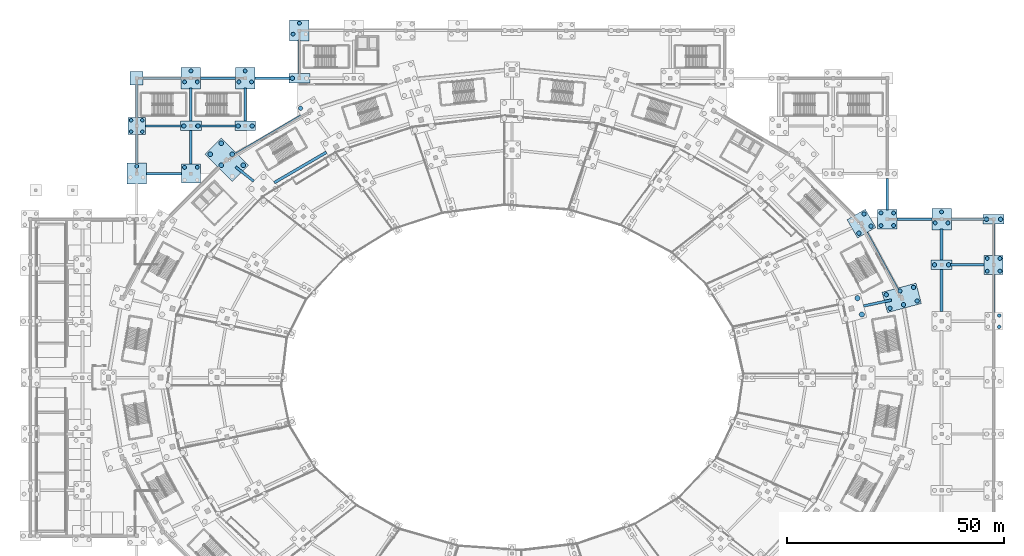
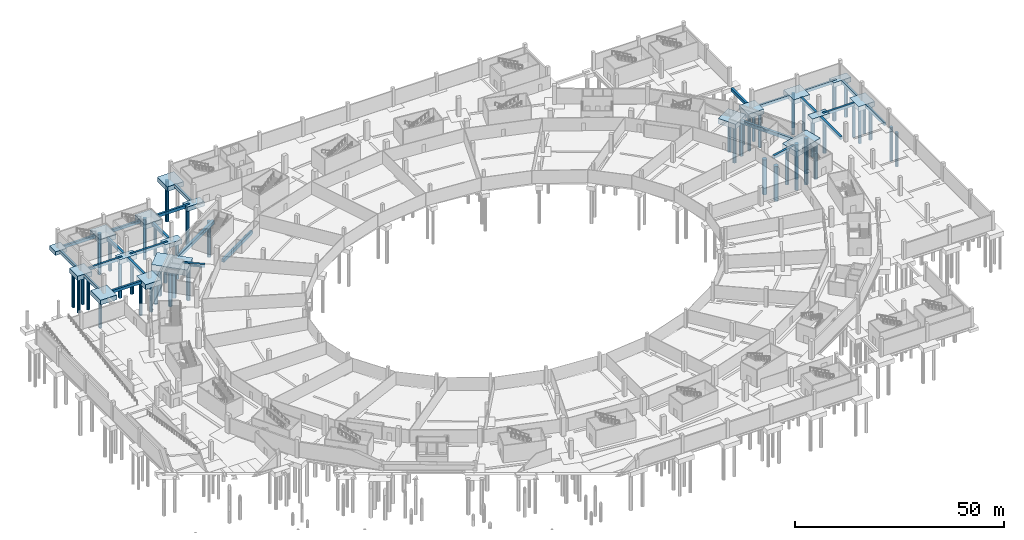
# One storey, part 9 of 74: 54 piles, 43 footings.
"""IFC4 building model written with IfcOpenShell, lengths in metres."""

from ifc_helpers import new_model, si_unit, direction, frame, origin, origin_2d, place, context, subcontext, project, spatial, polyline, rectangle, circle, outline, extrude, material, material_profile, profile_set, type_object, element, save


model = new_model("IFC4")

# Units and contexts
model_context = context("Model", 3, precision=1e-05, world=origin(), true_north=direction((0.0, 1.0)))
body_context = subcontext(model_context, "Body", "Model", "MODEL_VIEW")
ifc_project = project(units=[si_unit("LENGTHUNIT", "METRE"), si_unit("AREAUNIT", "SQUARE_METRE"), si_unit("VOLUMEUNIT", "CUBIC_METRE"), si_unit("PLANEANGLEUNIT", "RADIAN"), si_unit("MASSUNIT", "GRAM", prefix="KILO")], contexts=[model_context])

# Site, building, storey
site_placement = place(None, origin())
site = spatial("IfcSite", under=ifc_project, at=site_placement, CompositionType="ELEMENT")
building_placement = place(site_placement, origin())
building = spatial("IfcBuilding", under=site, at=building_placement, Name="Zlatoyarsky Gate Stadium", CompositionType="ELEMENT")
storey_placement = place(building_placement, frame((0.0, 0.0, -5.39990234375)))
storey = spatial("IfcBuildingStorey", under=building, at=storey_placement, Name="B1", CompositionType="ELEMENT", Elevation=-5.39990234375)

# Piles
ifc_material = material(Name="Concrete C35/45", Category="concrete")
ifc_material_profile_1 = material_profile(ifc_material, circle(Radius=0.5, at=origin_2d()), Name="BORED PILE D1000")
ifc_profile_set_1 = profile_set([ifc_material_profile_1], Name="Concrete C35/45")
pile_type_1 = type_object("IfcPileType", Name="CONCRETE BORED PILE D1000", PredefinedType="BORED", material=ifc_profile_set_1)
for number, where, z_axis, x_axis, name in (
    (1, (198.1123046875, 95.96533203125, -1.5), (0.0, 0.0, -1.0), (1.0, 0.0, 0.0), "Pile 1 under RC-01"),
    (2, (201.251708984375, 96.806640625, -1.5), (0.0, 0.0, -1.0), (1.0, 0.0, 0.0), "Pile 2 under RC-01"),
    (3, (204.390869140625, 97.647705078125, -1.5), (0.0, 0.0, -1.0), (1.0, 0.0, 0.0), "Pile 3 under RC-01"),
    (4, (197.271240234375, 99.104736328125, -1.5), (0.0, 0.0, -1.0), (1.0, 0.0, 0.0), "Pile 4 under RC-01"),
    (5, (200.410400390625, 99.94580078125, -1.5), (0.0, 0.0, -1.0), (1.0, 0.0, 0.0), "Pile 5 under RC-01"),
    (6, (203.5498046875, 100.787109375, -1.5), (0.0, 0.0, -1.0), (1.0, 0.0, 0.0), "Pile 6 under RC-01"),
):
    element("IfcPile", number, at=place(storey_placement, frame(where, z_axis=z_axis, x_axis=x_axis)), inside=storey, type_object=pile_type_1, Name=name, PredefinedType="BORED", context=body_context, shape_type="SweptSolid", body=[
        extrude(circle(Radius=0.5, at=origin_2d()), origin(), (0.0, 0.0, 1.0), 10.300048828125),
    ])
for number, where, z_axis, x_axis, name in (
    (7, (190.945556640625, 113.2802734375, -1.400146484375), (0.0, 0.0, -1.0), (1.0, 0.0, 0.0), "Pile 1 under RC-02"),
    (8, (193.76025390625, 114.9052734375, -1.400146484375), (0.0, 0.0, -1.0), (1.0, 0.0, 0.0), "Pile 2 under RC-02"),
    (9, (192.13525390625, 117.7197265625, -1.400146484375), (0.0, 0.0, -1.0), (1.0, 0.0, 0.0), "Pile 4 under RC-02"),
    (10, (62.2802734375, 142.08251953125, -1.400146484375), (0.0, 0.0, -1.0), (1.0, 0.0, 0.0), "Pile 4 under RC-08"),
):
    element("IfcPile", number, at=place(storey_placement, frame(where, z_axis=z_axis, x_axis=x_axis)), inside=storey, type_object=pile_type_1, Name=name, PredefinedType="BORED", context=body_context, shape_type="SweptSolid", body=[
        extrude(circle(Radius=0.5, at=origin_2d()), origin(), (0.0, 0.0, 1.0), 10.39990234375),
    ])
for number, where, z_axis, x_axis, name in (
    (11, (208.375, 106.0, -1.2001953125), (0.0, 0.0, -1.0), (1.0, 0.0, 0.0), "Pile 1 under WG-18-K"),
    (12, (211.625, 106.0, -1.2001953125), (0.0, 0.0, -1.0), (1.0, 0.0, 0.0), "Pile 2 under WG-18-K"),
    (13, (220.375, 116.5, -1.2001953125), (0.0, 0.0, -1.0), (1.0, 0.0, 0.0), "Pile 1 under WG-19-L"),
    (14, (223.625, 116.5, -1.2001953125), (0.0, 0.0, -1.0), (1.0, 0.0, 0.0), "Pile 2 under WG-19-L"),
    (15, (35.375, 138.0, -1.2001953125), (0.0, 0.0, -1.0), (1.0, 0.0, 0.0), "Pile 1 under WG-4-N"),
    (16, (38.625, 138.0, -1.2001953125), (0.0, 0.0, -1.0), (1.0, 0.0, 0.0), "Pile 2 under WG-4-N"),
    (17, (47.875, 138.0, -1.2001953125), (0.0, 0.0, -1.0), (1.0, 0.0, 0.0), "Pile 1 under WG-5-N"),
    (18, (51.125, 138.0, -1.2001953125), (0.0, 0.0, -1.0), (1.0, 0.0, 0.0), "Pile 2 under WG-5-N"),
    (19, (60.375, 149.0, -1.2001953125), (0.0, 0.0, -1.0), (1.0, 0.0, 0.0), "Pile 1 under WG-6-P"),
):
    element("IfcPile", number, at=place(storey_placement, frame(where, z_axis=z_axis, x_axis=x_axis)), inside=storey, type_object=pile_type_1, Name=name, PredefinedType="BORED", context=body_context, shape_type="SweptSolid", body=[
        extrude(circle(Radius=0.5, at=origin_2d()), origin(), (0.0, 0.0, 1.0), 10.60009765625),
    ])
ifc_material_profile_2 = material_profile(ifc_material, circle(Radius=0.550048828125, at=origin_2d()), Name="BORED PILE D1100")
ifc_profile_set_2 = profile_set([ifc_material_profile_2], Name="Concrete C35/45")
pile_type_2 = type_object("IfcPileType", Name="CONCRETE BORED PILE D1100", PredefinedType="BORED", material=ifc_profile_set_2)
for number, where, z_axis, x_axis, name in (
    (20, (49.031005859375, 128.940673828125, -1.60009765625), (0.0, 0.0, -1.0), (1.0, 0.0, 0.0), "Pile 1 under RC-09"),
    (21, (46.503173828125, 131.468505859375, -1.60009765625), (0.0, 0.0, -1.0), (1.0, 0.0, 0.0), "Pile 2 under RC-09"),
    (22, (43.97509765625, 133.99658203125, -1.60009765625), (0.0, 0.0, -1.0), (1.0, 0.0, 0.0), "Pile 3 under RC-09"),
    (23, (43.97509765625, 128.940673828125, -1.60009765625), (0.0, 0.0, -1.0), (1.0, 0.0, 0.0), "Pile 5 under RC-09"),
    (24, (41.447265625, 131.468505859375, -1.60009765625), (0.0, 0.0, -1.0), (1.0, 0.0, 0.0), "Pile 6 under RC-09"),
):
    element("IfcPile", number, at=place(storey_placement, frame(where, z_axis=z_axis, x_axis=x_axis)), inside=storey, type_object=pile_type_2, Name=name, PredefinedType="BORED", context=body_context, shape_type="SweptSolid", body=[
        extrude(circle(Radius=0.550048828125, at=origin_2d()), origin(), (0.0, 0.0, 1.0), 10.199951171875),
    ])
ifc_material_profile_3 = material_profile(ifc_material, circle(Radius=0.60009765625, at=origin_2d()), Name="BORED PILE D1200")
ifc_profile_set_3 = profile_set([ifc_material_profile_3], Name="Concrete C35/45")
pile_type_3 = type_object("IfcPileType", Name="CONCRETE BORED PILE D1200", PredefinedType="BORED", material=ifc_profile_set_3)
for number, where, z_axis, x_axis, name in (
    (25, (191.62841796875, 94.53857421875, -1.550048828125), (0.0, 0.0, -1.0), (1.0, 0.0, 0.0), "Pile 2 under RB-01"),
    (26, (190.618896484375, 98.3056640625, -1.550048828125), (0.0, 0.0, -1.0), (1.0, 0.0, 0.0), "Pile 4 under RB-01"),
):
    element("IfcPile", number, at=place(storey_placement, frame(where, z_axis=z_axis, x_axis=x_axis)), inside=storey, type_object=pile_type_3, Name=name, PredefinedType="BORED", context=body_context, shape_type="SweptSolid", body=[
        extrude(circle(Radius=0.60009765625, at=origin_2d()), origin(), (0.0, 0.0, 1.0), 10.25),
    ])
ifc_material_profile_4 = material_profile(ifc_material, circle(Radius=0.39990234375, at=origin_2d()), Name="BORED PILE D800")
ifc_profile_set_4 = profile_set([ifc_material_profile_4], Name="Concrete C35/45")
pile_type_4 = type_object("IfcPileType", Name="CONCRETE BORED PILE D800", PredefinedType="BORED", material=ifc_profile_set_4)
for number, where, z_axis, x_axis, name in (
    (27, (223.300048828125, 91.699951171875, -1.25), (0.0, 0.0, -1.0), (1.0, 0.0, 0.0), "Pile 2 under WG-19-J"),
    (28, (223.300048828125, 94.300048828125, -1.25), (0.0, 0.0, -1.0), (1.0, 0.0, 0.0), "Pile 4 under WG-19-J"),
    (29, (23.199951171875, 136.699951171875, -1.25), (0.0, 0.0, -1.0), (1.0, 0.0, 0.0), "Pile 1 under WG-3-N"),
    (30, (25.800048828125, 136.699951171875, -1.25), (0.0, 0.0, -1.0), (1.0, 0.0, 0.0), "Pile 2 under WG-3-N"),
    (31, (23.199951171875, 139.300048828125, -1.25), (0.0, 0.0, -1.0), (1.0, 0.0, 0.0), "Pile 3 under WG-3-N"),
    (32, (25.800048828125, 139.300048828125, -1.25), (0.0, 0.0, -1.0), (1.0, 0.0, 0.0), "Pile 4 under WG-3-N"),
):
    element("IfcPile", number, at=place(storey_placement, frame(where, z_axis=z_axis, x_axis=x_axis)), inside=storey, type_object=pile_type_4, Name=name, PredefinedType="BORED", context=body_context, shape_type="SweptSolid", body=[
        extrude(circle(Radius=0.39990234375, at=origin_2d()), origin(), (0.0, 0.0, 1.0), 9.949951171875),
    ])
ifc_material_profile_5 = material_profile(ifc_material, circle(Radius=0.449951171875, at=origin_2d()), Name="BORED PILE D900")
ifc_profile_set_5 = profile_set([ifc_material_profile_5], Name="Concrete C35/45")
pile_type_5 = type_object("IfcPileType", Name="CONCRETE BORED PILE D900", PredefinedType="BORED", material=ifc_profile_set_5)
for number, where, z_axis, x_axis, name in (
    (33, (196.03759765625, 115.03759765625, -1.300048828125), (0.0, 0.0, -1.0), (1.0, 0.0, 0.0), "Pile 1 under WG-17-L"),
    (34, (198.96240234375, 115.03759765625, -1.300048828125), (0.0, 0.0, -1.0), (1.0, 0.0, 0.0), "Pile 2 under WG-17-L"),
    (35, (196.03759765625, 117.96240234375, -1.300048828125), (0.0, 0.0, -1.0), (1.0, 0.0, 0.0), "Pile 3 under WG-17-L"),
    (36, (198.96240234375, 117.96240234375, -1.300048828125), (0.0, 0.0, -1.0), (1.0, 0.0, 0.0), "Pile 4 under WG-17-L"),
):
    element("IfcPile", number, at=place(storey_placement, frame(where, z_axis=z_axis, x_axis=x_axis)), inside=storey, type_object=pile_type_5, Name=name, PredefinedType="BORED", context=body_context, shape_type="SweptSolid", body=[
        extrude(circle(Radius=0.449951171875, at=origin_2d()), origin(), (0.0, 0.0, 1.0), 9.89990234375),
    ])
for number, where, z_axis, x_axis, name in (
    (37, (208.53759765625, 115.65576171875, -1.25), (0.0, 0.0, -1.0), (1.0, 0.0, 0.0), "Pile 1 under WG-18-L"),
    (38, (211.46240234375, 115.65576171875, -1.25), (0.0, 0.0, -1.0), (1.0, 0.0, 0.0), "Pile 2 under WG-18-L"),
    (39, (210.0, 118.188720703125, -1.25), (0.0, 0.0, -1.0), (1.0, 0.0, 0.0), "Pile 3 under WG-18-L"),
):
    element("IfcPile", number, at=place(storey_placement, frame(where, z_axis=z_axis, x_axis=x_axis)), inside=storey, type_object=pile_type_5, Name=name, PredefinedType="BORED", context=body_context, shape_type="SweptSolid", body=[
        extrude(circle(Radius=0.449951171875, at=origin_2d()), origin(), (0.0, 0.0, 1.0), 9.949951171875),
    ])
for number, where, z_axis, x_axis, name in (
    (40, (220.53759765625, 104.53759765625, -1.300048828125), (0.0, 0.0, -1.0), (1.0, 0.0, 0.0), "Pile 1 under WG-19-K"),
    (41, (223.46240234375, 104.53759765625, -1.300048828125), (0.0, 0.0, -1.0), (1.0, 0.0, 0.0), "Pile 2 under WG-19-K"),
    (42, (220.53759765625, 107.46240234375, -1.300048828125), (0.0, 0.0, -1.0), (1.0, 0.0, 0.0), "Pile 3 under WG-19-K"),
    (43, (223.46240234375, 107.46240234375, -1.300048828125), (0.0, 0.0, -1.0), (1.0, 0.0, 0.0), "Pile 4 under WG-19-K"),
):
    element("IfcPile", number, at=place(storey_placement, frame(where, z_axis=z_axis, x_axis=x_axis)), inside=storey, type_object=pile_type_5, Name=name, PredefinedType="BORED", context=body_context, shape_type="SweptSolid", body=[
        extrude(circle(Radius=0.449951171875, at=origin_2d()), origin(), (0.0, 0.0, 1.0), 9.89990234375),
    ])
pile_placement = place(storey_placement, frame((24.5, 128.688720703125, -1.25), z_axis=(0.0, 0.0, -1.0), x_axis=(1.0, 0.0, 0.0)))
element("IfcPile", 44, at=pile_placement, inside=storey, type_object=pile_type_5, Name="Pile 3 under WG-3-M", PredefinedType="BORED", context=body_context, shape_type="SweptSolid", body=[
    extrude(circle(Radius=0.449951171875, at=origin_2d()), origin(), (0.0, 0.0, 1.0), 9.949951171875),
])
for number, where, z_axis, x_axis, name in (
    (45, (35.53759765625, 128.46240234375, -1.300048828125), (0.0, 0.0, -1.0), (1.0, 0.0, 0.0), "Pile 3 under WG-4-M"),
    (46, (38.46240234375, 128.46240234375, -1.300048828125), (0.0, 0.0, -1.0), (1.0, 0.0, 0.0), "Pile 4 under WG-4-M"),
):
    element("IfcPile", number, at=place(storey_placement, frame(where, z_axis=z_axis, x_axis=x_axis)), inside=storey, type_object=pile_type_5, Name=name, PredefinedType="BORED", context=body_context, shape_type="SweptSolid", body=[
        extrude(circle(Radius=0.449951171875, at=origin_2d()), origin(), (0.0, 0.0, 1.0), 9.89990234375),
    ])
for number, where, z_axis, x_axis, name in (
    (47, (35.53759765625, 148.15576171875, -1.25), (0.0, 0.0, -1.0), (1.0, 0.0, 0.0), "Pile 1 under WG-4-P"),
    (48, (38.46240234375, 148.15576171875, -1.25), (0.0, 0.0, -1.0), (1.0, 0.0, 0.0), "Pile 2 under WG-4-P"),
    (49, (37.0, 150.688720703125, -1.25), (0.0, 0.0, -1.0), (1.0, 0.0, 0.0), "Pile 3 under WG-4-P"),
    (50, (48.03759765625, 148.15576171875, -1.25), (0.0, 0.0, -1.0), (1.0, 0.0, 0.0), "Pile 1 under WG-5-P"),
    (51, (50.96240234375, 148.15576171875, -1.25), (0.0, 0.0, -1.0), (1.0, 0.0, 0.0), "Pile 2 under WG-5-P"),
    (52, (49.5, 150.688720703125, -1.25), (0.0, 0.0, -1.0), (1.0, 0.0, 0.0), "Pile 3 under WG-5-P"),
    (53, (60.53759765625, 159.15576171875, -1.25), (0.0, 0.0, -1.0), (1.0, 0.0, 0.0), "Pile 1 under WG-6-Q"),
    (54, (62.0, 161.688720703125, -1.25), (0.0, 0.0, -1.0), (1.0, 0.0, 0.0), "Pile 3 under WG-6-Q"),
):
    element("IfcPile", number, at=place(storey_placement, frame(where, z_axis=z_axis, x_axis=x_axis)), inside=storey, type_object=pile_type_5, Name=name, PredefinedType="BORED", context=body_context, shape_type="SweptSolid", body=[
        extrude(circle(Radius=0.449951171875, at=origin_2d()), origin(), (0.0, 0.0, 1.0), 9.949951171875),
    ])

# Footings
ifc_material_profile_6 = material_profile(ifc_material, rectangle(XDim=0.550048828125, YDim=0.85009765625, at=origin_2d()), Name="GB 550X850")
ifc_profile_set_6 = profile_set([ifc_material_profile_6], Name="Concrete C35/45")
footing_type_1 = type_object("IfcFootingType", Name="CONCRETE GROUND TIE BEAM 550X850", PredefinedType="STRIP_FOOTING", material=ifc_profile_set_6)
footing_1_placement = place(storey_placement, frame((0.0, 0.0, -0.85009765625)))
element("IfcFooting", 55, at=footing_1_placement, inside=storey, type_object=footing_type_1, Name="Ground tie beam GB-02 WG-17-L to WG-18-L", PredefinedType="STRIP_FOOTING", context=body_context, shape_type="SweptSolid", body=[
    extrude(outline(polyline([(199.68994140625, 116.22509765625), (207.760009765625, 116.22509765625), (207.760009765625, 116.77490234375), (199.68994140625, 116.77490234375), (199.68994140625, 116.22509765625)])), origin(), (0.0, 0.0, 1.0), 0.85009765625),
])
footing_2_placement = place(storey_placement, frame((0.0, 0.0, -0.85009765625)))
element("IfcFooting", 56, at=footing_2_placement, inside=storey, type_object=footing_type_1, Name="Ground tie beam GB-02 WG-18-K to WG-19-K", PredefinedType="STRIP_FOOTING", context=body_context, shape_type="SweptSolid", body=[
    extrude(outline(polyline([(211.090087890625, 105.72509765625), (219.81005859375, 105.72509765625), (219.81005859375, 106.27490234375), (211.090087890625, 106.27490234375), (211.090087890625, 105.72509765625)])), origin(), (0.0, 0.0, 1.0), 0.85009765625),
])
footing_3_placement = place(storey_placement, frame((0.0, 0.0, -0.85009765625)))
element("IfcFooting", 57, at=footing_3_placement, inside=storey, type_object=footing_type_1, Name="Ground tie beam GB-02 WG-18-L to WG-19-L", PredefinedType="STRIP_FOOTING", context=body_context, shape_type="SweptSolid", body=[
    extrude(outline(polyline([(212.239990234375, 116.22509765625), (220.909912109375, 116.22509765625), (220.909912109375, 116.77490234375), (212.239990234375, 116.77490234375), (212.239990234375, 116.22509765625)])), origin(), (0.0, 0.0, 1.0), 0.85009765625),
])
footing_4_placement = place(storey_placement, frame((0.0, 0.0, -0.85009765625)))
element("IfcFooting", 58, at=footing_4_placement, inside=storey, type_object=footing_type_1, Name="Ground tie beam GB-02 WG-3-M to WG-4-M", PredefinedType="STRIP_FOOTING", context=body_context, shape_type="SweptSolid", body=[
    extrude(outline(polyline([(26.739990234375, 126.72509765625), (34.81005859375, 126.72509765625), (34.81005859375, 127.27490234375), (26.739990234375, 127.27490234375), (26.739990234375, 126.72509765625)])), origin(), (0.0, 0.0, 1.0), 0.85009765625),
])
footing_5_placement = place(storey_placement, frame((0.0, 0.0, -0.85009765625)))
element("IfcFooting", 59, at=footing_5_placement, inside=storey, type_object=footing_type_1, Name="Ground tie beam GB-02 WG-3-N to WG-4-N", PredefinedType="STRIP_FOOTING", context=body_context, shape_type="SweptSolid", body=[
    extrude(outline(polyline([(26.489990234375, 137.72509765625), (35.909912109375, 137.72509765625), (35.909912109375, 138.27490234375), (26.489990234375, 138.27490234375), (26.489990234375, 137.72509765625)])), origin(), (0.0, 0.0, 1.0), 0.85009765625),
])
footing_6_placement = place(storey_placement, frame((0.0, 0.0, -0.85009765625)))
element("IfcFooting", 60, at=footing_6_placement, inside=storey, type_object=footing_type_1, Name="Ground tie beam GB-02 WG-3-P to WG-4-P", PredefinedType="STRIP_FOOTING", context=body_context, shape_type="SweptSolid", body=[
    extrude(outline(polyline([(25.989990234375, 148.72509765625), (34.760009765625, 148.72509765625), (34.760009765625, 149.27490234375), (25.989990234375, 149.27490234375), (25.989990234375, 148.72509765625)])), origin(), (0.0, 0.0, 1.0), 0.85009765625),
])
footing_7_placement = place(storey_placement, frame((0.0, 0.0, -0.85009765625)))
element("IfcFooting", 61, at=footing_7_placement, inside=storey, type_object=footing_type_1, Name="Ground tie beam GB-02 WG-4-N to WG-5-N", PredefinedType="STRIP_FOOTING", context=body_context, shape_type="SweptSolid", body=[
    extrude(outline(polyline([(38.090087890625, 137.72509765625), (48.409912109375, 137.72509765625), (48.409912109375, 138.27490234375), (38.090087890625, 138.27490234375), (38.090087890625, 137.72509765625)])), origin(), (0.0, 0.0, 1.0), 0.85009765625),
])
footing_8_placement = place(storey_placement, frame((0.0, 0.0, -0.85009765625)))
element("IfcFooting", 62, at=footing_8_placement, inside=storey, type_object=footing_type_1, Name="Ground tie beam GB-02 WG-4-P to WG-5-P", PredefinedType="STRIP_FOOTING", context=body_context, shape_type="SweptSolid", body=[
    extrude(outline(polyline([(39.239990234375, 148.72509765625), (47.260009765625, 148.72509765625), (47.260009765625, 149.27490234375), (39.239990234375, 149.27490234375), (39.239990234375, 148.72509765625)])), origin(), (0.0, 0.0, 1.0), 0.85009765625),
])
footing_9_placement = place(storey_placement, frame((0.0, 0.0, -0.85009765625)))
element("IfcFooting", 63, at=footing_9_placement, inside=storey, type_object=footing_type_1, Name="Ground tie beam GB-02 WG-5-P to WG-6-P", PredefinedType="STRIP_FOOTING", context=body_context, shape_type="SweptSolid", body=[
    extrude(outline(polyline([(51.739990234375, 148.72509765625), (60.909912109375, 148.72509765625), (60.909912109375, 149.27490234375), (51.739990234375, 149.27490234375), (51.739990234375, 148.72509765625)])), origin(), (0.0, 0.0, 1.0), 0.85009765625),
])
ifc_material_profile_7 = material_profile(ifc_material, rectangle(XDim=0.60009765625, YDim=0.89990234375, at=origin_2d()), Name="GB 600X900")
ifc_profile_set_7 = profile_set([ifc_material_profile_7], Name="Concrete C35/45")
footing_type_2 = type_object("IfcFootingType", Name="CONCRETE GROUND TIE BEAM 600X900", PredefinedType="STRIP_FOOTING", material=ifc_profile_set_7)
footing_10_placement = place(storey_placement, frame((0.0, 0.0, -0.900146484375)))
element("IfcFooting", 64, at=footing_10_placement, inside=storey, type_object=footing_type_2, Name="Ground tie beam GB-03 RB-01 to RC-01", PredefinedType="STRIP_FOOTING", context=body_context, shape_type="SweptSolid", body=[
    extrude(outline(polyline([(192.104736328125, 96.218505859375), (198.531005859375, 97.58154296875), (198.406494140625, 98.16845703125), (191.98046875, 96.805419921875), (192.104736328125, 96.218505859375)])), origin(), (0.0, 0.0, 1.0), 0.900146484375),
])
footing_11_placement = place(storey_placement, frame((0.0, 0.0, -0.900146484375)))
element("IfcFooting", 65, at=footing_11_placement, inside=storey, type_object=footing_type_2, Name="Ground tie beam GB-03 RB-09 to RC-09", PredefinedType="STRIP_FOOTING", context=body_context, shape_type="SweptSolid", body=[
    extrude(outline(polyline([(51.664306640625, 125.500732421875), (47.4951171875, 128.801025390625), (47.122802734375, 128.33056640625), (51.2919921875, 125.0302734375), (51.664306640625, 125.500732421875)])), origin(), (0.0, 0.0, 1.0), 0.900146484375),
])
footing_12_placement = place(storey_placement, frame((0.0, 0.0, -0.900146484375)))
element("IfcFooting", 66, at=footing_12_placement, inside=storey, type_object=footing_type_2, Name="Ground tie beam GB-03 WG-17-L to WG-17-M", PredefinedType="STRIP_FOOTING", context=body_context, shape_type="SweptSolid", body=[
    extrude(outline(polyline([(197.800048828125, 118.68994140625), (197.800048828125, 125.909912109375), (197.199951171875, 125.909912109375), (197.199951171875, 118.68994140625), (197.800048828125, 118.68994140625)])), origin(), (0.0, 0.0, 1.0), 0.900146484375),
])
footing_13_placement = place(storey_placement, frame((0.0, 0.0, -0.900146484375)))
element("IfcFooting", 67, at=footing_13_placement, inside=storey, type_object=footing_type_2, Name="Ground tie beam GB-03 WG-18-J to WG-18-K", PredefinedType="STRIP_FOOTING", context=body_context, shape_type="SweptSolid", body=[
    extrude(outline(polyline([(210.300048828125, 95.18994140625), (210.300048828125, 104.909912109375), (209.699951171875, 104.909912109375), (209.699951171875, 95.18994140625), (210.300048828125, 95.18994140625)])), origin(), (0.0, 0.0, 1.0), 0.900146484375),
])
footing_14_placement = place(storey_placement, frame((0.0, 0.0, -0.900146484375)))
element("IfcFooting", 68, at=footing_14_placement, inside=storey, type_object=footing_type_2, Name="Ground tie beam GB-03 WG-18-K to WG-18-L", PredefinedType="STRIP_FOOTING", context=body_context, shape_type="SweptSolid", body=[
    extrude(outline(polyline([(210.300048828125, 107.090087890625), (210.300048828125, 114.260009765625), (209.699951171875, 114.260009765625), (209.699951171875, 107.090087890625), (210.300048828125, 107.090087890625)])), origin(), (0.0, 0.0, 1.0), 0.900146484375),
])
footing_15_placement = place(storey_placement, frame((0.0, 0.0, -0.900146484375)))
element("IfcFooting", 69, at=footing_15_placement, inside=storey, type_object=footing_type_2, Name="Ground tie beam GB-03 WG-19-J to WG-19-K", PredefinedType="STRIP_FOOTING", context=body_context, shape_type="SweptSolid", body=[
    extrude(outline(polyline([(222.300048828125, 94.989990234375), (222.300048828125, 103.81005859375), (221.699951171875, 103.81005859375), (221.699951171875, 94.989990234375), (222.300048828125, 94.989990234375)])), origin(), (0.0, 0.0, 1.0), 0.900146484375),
])
footing_16_placement = place(storey_placement, frame((0.0, 0.0, -0.900146484375)))
element("IfcFooting", 70, at=footing_16_placement, inside=storey, type_object=footing_type_2, Name="Ground tie beam GB-03 WG-19-K to WG-19-L", PredefinedType="STRIP_FOOTING", context=body_context, shape_type="SweptSolid", body=[
    extrude(outline(polyline([(222.300048828125, 108.18994140625), (222.300048828125, 115.409912109375), (221.699951171875, 115.409912109375), (221.699951171875, 108.18994140625), (222.300048828125, 108.18994140625)])), origin(), (0.0, 0.0, 1.0), 0.900146484375),
])
footing_17_placement = place(storey_placement, frame((0.0, 0.0, -0.900146484375)))
element("IfcFooting", 71, at=footing_17_placement, inside=storey, type_object=footing_type_2, Name="Ground tie beam GB-03 WG-3-M to WG-3-N", PredefinedType="STRIP_FOOTING", context=body_context, shape_type="SweptSolid", body=[
    extrude(outline(polyline([(24.800048828125, 129.239990234375), (24.800048828125, 136.010009765625), (24.199951171875, 136.010009765625), (24.199951171875, 129.239990234375), (24.800048828125, 129.239990234375)])), origin(), (0.0, 0.0, 1.0), 0.900146484375),
])
footing_18_placement = place(storey_placement, frame((0.0, 0.0, -0.900146484375)))
element("IfcFooting", 72, at=footing_18_placement, inside=storey, type_object=footing_type_2, Name="Ground tie beam GB-03 WG-3-N to WG-3-P", PredefinedType="STRIP_FOOTING", context=body_context, shape_type="SweptSolid", body=[
    extrude(outline(polyline([(24.800048828125, 139.989990234375), (24.800048828125, 147.510009765625), (24.199951171875, 147.510009765625), (24.199951171875, 139.989990234375), (24.800048828125, 139.989990234375)])), origin(), (0.0, 0.0, 1.0), 0.900146484375),
])
footing_19_placement = place(storey_placement, frame((0.0, 0.0, -0.900146484375)))
element("IfcFooting", 73, at=footing_19_placement, inside=storey, type_object=footing_type_2, Name="Ground tie beam GB-03 WG-4-M to WG-4-N", PredefinedType="STRIP_FOOTING", context=body_context, shape_type="SweptSolid", body=[
    extrude(outline(polyline([(37.300048828125, 129.18994140625), (37.300048828125, 136.909912109375), (36.699951171875, 136.909912109375), (36.699951171875, 129.18994140625), (37.300048828125, 129.18994140625)])), origin(), (0.0, 0.0, 1.0), 0.900146484375),
])
footing_20_placement = place(storey_placement, frame((0.0, 0.0, -0.900146484375)))
element("IfcFooting", 74, at=footing_20_placement, inside=storey, type_object=footing_type_2, Name="Ground tie beam GB-03 WG-4-N to WG-4-P", PredefinedType="STRIP_FOOTING", context=body_context, shape_type="SweptSolid", body=[
    extrude(outline(polyline([(37.300048828125, 139.090087890625), (37.300048828125, 146.760009765625), (36.699951171875, 146.760009765625), (36.699951171875, 139.090087890625), (37.300048828125, 139.090087890625)])), origin(), (0.0, 0.0, 1.0), 0.900146484375),
])
footing_21_placement = place(storey_placement, frame((0.0, 0.0, -0.900146484375)))
element("IfcFooting", 75, at=footing_21_placement, inside=storey, type_object=footing_type_2, Name="Ground tie beam GB-03 WG-5-N to WG-5-P", PredefinedType="STRIP_FOOTING", context=body_context, shape_type="SweptSolid", body=[
    extrude(outline(polyline([(49.800048828125, 139.090087890625), (49.800048828125, 146.760009765625), (49.199951171875, 146.760009765625), (49.199951171875, 139.090087890625), (49.800048828125, 139.090087890625)])), origin(), (0.0, 0.0, 1.0), 0.900146484375),
])
footing_22_placement = place(storey_placement, frame((0.0, 0.0, -0.900146484375)))
element("IfcFooting", 76, at=footing_22_placement, inside=storey, type_object=footing_type_2, Name="Ground tie beam GB-03 WG-6-P to WG-6-Q", PredefinedType="STRIP_FOOTING", context=body_context, shape_type="SweptSolid", body=[
    extrude(outline(polyline([(62.300048828125, 150.090087890625), (62.300048828125, 157.760009765625), (61.699951171875, 157.760009765625), (61.699951171875, 150.090087890625), (62.300048828125, 150.090087890625)])), origin(), (0.0, 0.0, 1.0), 0.900146484375),
])
ifc_material_profile_8 = material_profile(ifc_material, rectangle(XDim=0.64990234375, YDim=0.949951171875, at=origin_2d()), Name="GB 650X950")
ifc_profile_set_8 = profile_set([ifc_material_profile_8], Name="Concrete C35/45")
footing_type_3 = type_object("IfcFootingType", Name="CONCRETE GROUND TIE BEAM 650X950", PredefinedType="STRIP_FOOTING", material=ifc_profile_set_8)
footing_23_placement = place(storey_placement, frame((0.0, 0.0, -0.9501953125)))
element("IfcFooting", 77, at=footing_23_placement, inside=storey, type_object=footing_type_3, Name="Ground tie beam GB-04 RB-08 to RB-09", PredefinedType="STRIP_FOOTING", context=body_context, shape_type="SweptSolid", body=[
    extrude(outline(polyline([(68.05517578125, 132.21240234375), (56.036376953125, 125.210205078125), (56.363525390625, 124.6484375), (68.382568359375, 131.65087890625), (68.05517578125, 132.21240234375)])), origin(), (0.0, 0.0, 1.0), 0.9501953125),
])
ifc_material_profile_9 = material_profile(ifc_material, rectangle(XDim=0.699951171875, YDim=1.0, at=origin_2d()), Name="GB 700X1000")
ifc_profile_set_9 = profile_set([ifc_material_profile_9], Name="Concrete C35/45")
footing_type_4 = type_object("IfcFootingType", Name="CONCRETE GROUND TIE BEAM 700X1000", PredefinedType="STRIP_FOOTING", material=ifc_profile_set_9)
footing_24_placement = place(storey_placement, frame((0.0, 0.0, -1.0)))
element("IfcFooting", 78, at=footing_24_placement, inside=storey, type_object=footing_type_4, Name="Ground tie beam GB-05 RC-01 to RC-02", PredefinedType="STRIP_FOOTING", context=body_context, shape_type="SweptSolid", body=[
    extrude(outline(polyline([(199.987060546875, 100.665771484375), (192.999755859375, 113.544189453125), (192.384521484375, 113.21044921875), (199.371826171875, 100.33203125), (199.987060546875, 100.665771484375)])), origin(), (0.0, 0.0, 1.0), 1.0),
])
footing_25_placement = place(storey_placement, frame((0.0, 0.0, -1.0)))
element("IfcFooting", 79, at=footing_25_placement, inside=storey, type_object=footing_type_4, Name="Ground tie beam GB-05 RC-08 to RC-09", PredefinedType="STRIP_FOOTING", context=body_context, shape_type="SweptSolid", body=[
    extrude(outline(polyline([(62.2392578125, 140.569091796875), (47.340087890625, 131.841064453125), (47.69384765625, 131.237060546875), (62.593017578125, 139.965087890625), (62.2392578125, 140.569091796875)])), origin(), (0.0, 0.0, 1.0), 1.0),
])
footing_type_5 = type_object("IfcFootingType", Name="CONCRETE PAD FOOTING 3000X3000X1050", PredefinedType="PAD_FOOTING", material=ifc_material)
footing_26_placement = place(storey_placement, frame((24.5, 149.0, -1.05029296875), z_axis=(0.0, 0.0, 1.0), x_axis=(1.0, 0.0, 0.0)))
element("IfcFooting", 80, at=footing_26_placement, inside=storey, type_object=footing_type_5, Name="Pad footing PF-04 at WG-3-P", PredefinedType="PAD_FOOTING", context=body_context, shape_type="SweptSolid", body=[
    extrude(rectangle(XDim=3.0, YDim=3.0, at=origin_2d()), origin(), (0.0, 0.0, 1.0), 1.050048828125),
])
footing_type_6 = type_object("IfcFootingType", Name="CONCRETE PILE CAP 4000X4000X1350", PredefinedType="PILE_CAP", material=ifc_material)
footing_27_placement = place(storey_placement, frame((24.5, 138.0, -1.35009765625), z_axis=(0.0, 0.0, 1.0), x_axis=(1.0, 0.0, 0.0)))
element("IfcFooting", 81, at=footing_27_placement, inside=storey, type_object=footing_type_6, Name="Pile cap PC-05 at WG-3-N", PredefinedType="PILE_CAP", context=body_context, shape_type="SweptSolid", body=[
    extrude(rectangle(XDim=4.0, YDim=4.0, at=origin_2d()), origin(), (0.0, 0.0, 1.0), 1.35009765625),
])
footing_type_7 = type_object("IfcFootingType", Name="CONCRETE PILE CAP 4400X4400X1400", PredefinedType="PILE_CAP", material=ifc_material)
for number, where, z_axis, x_axis, name in (
    (82, (197.5, 116.5, -1.400146484375), (0.0, 0.0, 1.0), (1.0, 0.0, 0.0), "Pile cap PC-06 at WG-17-L"),
    (83, (222.0, 106.0, -1.400146484375), (0.0, 0.0, 1.0), (1.0, 0.0, 0.0), "Pile cap PC-06 at WG-19-K"),
    (84, (37.0, 127.0, -1.400146484375), (0.0, 0.0, 1.0), (1.0, 0.0, 0.0), "Pile cap PC-06 at WG-4-M"),
):
    element("IfcFooting", number, at=place(storey_placement, frame(where, z_axis=z_axis, x_axis=x_axis)), inside=storey, type_object=footing_type_7, Name=name, PredefinedType="PILE_CAP", context=body_context, shape_type="SweptSolid", body=[
        extrude(rectangle(XDim=4.39990234375, YDim=4.39990234375, at=origin_2d()), origin(), (0.0, 0.0, 1.0), 1.39990234375),
    ])
footing_type_8 = type_object("IfcFootingType", Name="CONCRETE PILE CAP 4500X4850X1350", PredefinedType="PILE_CAP", material=ifc_material)
for number, where, z_axis, x_axis, name in (
    (85, (210.0, 116.5, -1.35009765625), (0.0, 0.0, 1.0), (1.0, 0.0, 0.0), "Pile cap PC-04 at WG-18-L"),
    (86, (24.5, 127.0, -1.35009765625), (0.0, 0.0, 1.0), (1.0, 0.0, 0.0), "Pile cap PC-04 at WG-3-M"),
    (87, (37.0, 149.0, -1.35009765625), (0.0, 0.0, 1.0), (1.0, 0.0, 0.0), "Pile cap PC-04 at WG-4-P"),
    (88, (49.5, 149.0, -1.35009765625), (0.0, 0.0, 1.0), (1.0, 0.0, 0.0), "Pile cap PC-04 at WG-5-P"),
    (89, (62.0, 160.0, -1.35009765625), (0.0, 0.0, 1.0), (1.0, 0.0, 0.0), "Pile cap PC-04 at WG-6-Q"),
):
    element("IfcFooting", number, at=place(storey_placement, frame(where, z_axis=z_axis, x_axis=x_axis)), inside=storey, type_object=footing_type_8, Name=name, PredefinedType="PILE_CAP", context=body_context, shape_type="SweptSolid", body=[
        extrude(rectangle(XDim=4.5, YDim=4.85009765625, at=origin_2d()), origin(), (0.0, 0.0, 1.0), 1.35009765625),
    ])
footing_type_9 = type_object("IfcFootingType", Name="CONCRETE PILE CAP 4800X2200X1300", PredefinedType="PILE_CAP", material=ifc_material)
for number, where, z_axis, x_axis, name in (
    (90, (210.0, 106.0, -1.30029296875), (0.0, 0.0, 1.0), (1.0, 0.0, 0.0), "Pile cap PC-03 at WG-18-K"),
    (91, (222.0, 116.5, -1.30029296875), (0.0, 0.0, 1.0), (1.0, 0.0, 0.0), "Pile cap PC-03 at WG-19-L"),
    (92, (37.0, 138.0, -1.30029296875), (0.0, 0.0, 1.0), (1.0, 0.0, 0.0), "Pile cap PC-03 at WG-4-N"),
    (93, (49.5, 138.0, -1.30029296875), (0.0, 0.0, 1.0), (1.0, 0.0, 0.0), "Pile cap PC-03 at WG-5-N"),
    (94, (62.0, 149.0, -1.30029296875), (0.0, 0.0, 1.0), (1.0, 0.0, 0.0), "Pile cap PC-03 at WG-6-P"),
):
    element("IfcFooting", number, at=place(storey_placement, frame(where, z_axis=z_axis, x_axis=x_axis)), inside=storey, type_object=footing_type_9, Name=name, PredefinedType="PILE_CAP", context=body_context, shape_type="SweptSolid", body=[
        extrude(rectangle(XDim=4.800048828125, YDim=2.199951171875, at=origin_2d()), origin(), (0.0, 0.0, 1.0), 1.300048828125),
    ])
footing_type_10 = type_object("IfcFootingType", Name="CONCRETE PILE CAP 4850X4850X1500", PredefinedType="PILE_CAP", material=ifc_material)
footing_28_placement = place(storey_placement, frame((191.540283203125, 115.5, -1.5), z_axis=(0.0, 0.0, 1.0), x_axis=(0.866025403784, 0.5, 0.0)))
element("IfcFooting", 95, at=footing_28_placement, inside=storey, type_object=footing_type_10, Name="Pile cap PC-07 at RC-02", PredefinedType="PILE_CAP", context=body_context, shape_type="SweptSolid", body=[
    extrude(rectangle(XDim=4.85009765625, YDim=4.85009765625, at=origin_2d()), origin(), (0.0, 0.0, 1.0), 1.5),
])
footing_type_11 = type_object("IfcFootingType", Name="CONCRETE PILE CAP 8100X4850X1600", PredefinedType="PILE_CAP", material=ifc_material)
footing_29_placement = place(storey_placement, frame((200.8310546875, 98.376220703125, -1.60009765625), z_axis=(0.0, 0.0, 1.0), x_axis=(0.965925826289, 0.258819045103, 0.0)))
element("IfcFooting", 96, at=footing_29_placement, inside=storey, type_object=footing_type_11, Name="Pile cap PC-11 at RC-01", PredefinedType="PILE_CAP", context=body_context, shape_type="SweptSolid", body=[
    extrude(rectangle(XDim=8.10009765625, YDim=4.85009765625, at=origin_2d()), origin(), (0.0, 0.0, 1.0), 1.60009765625),
])
footing_type_12 = type_object("IfcFootingType", Name="CONCRETE PILE CAP 8900X5300X1700", PredefinedType="PILE_CAP", material=ifc_material)
footing_30_placement = place(storey_placement, frame((45.239013671875, 130.20458984375, -1.7001953125), z_axis=(0.0, 0.0, 1.0), x_axis=(-0.707106781187, 0.707106781187, 0.0)))
element("IfcFooting", 97, at=footing_30_placement, inside=storey, type_object=footing_type_12, Name="Pile cap PC-12 at RC-09", PredefinedType="PILE_CAP", context=body_context, shape_type="SweptSolid", body=[
    extrude(rectangle(XDim=8.89990234375, YDim=5.300048828125, at=origin_2d()), origin(), (0.0, 0.0, 1.0), 1.699951171875),
])

save(model, "model.ifc")
